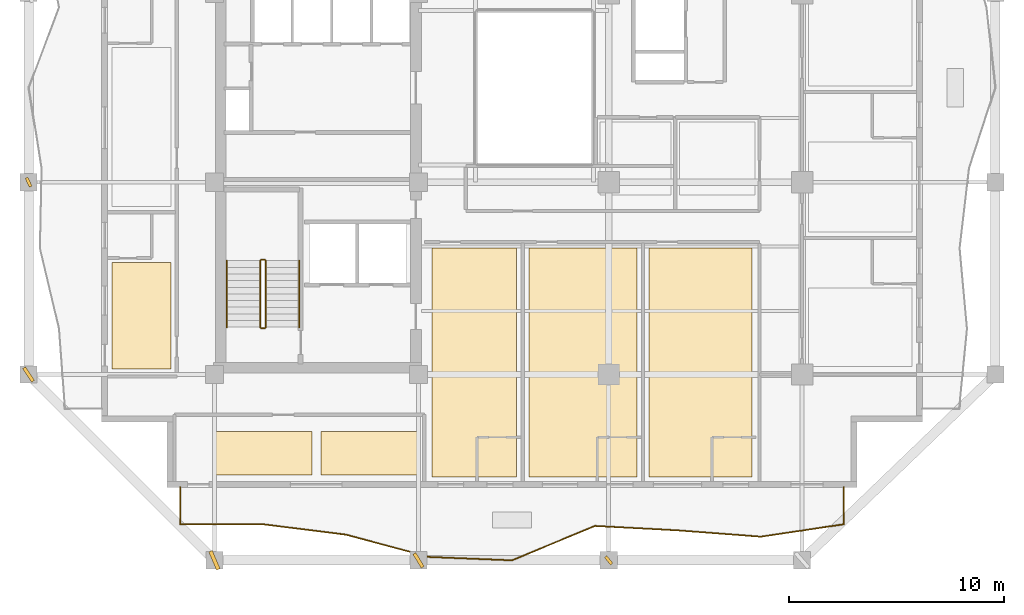
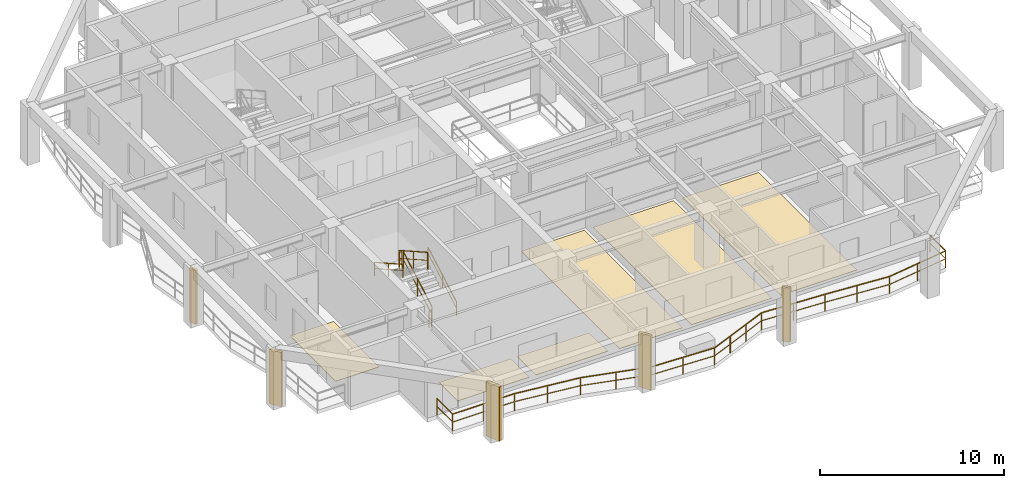
# One storey, part 8 of 11: 7 railings, 6 coverings, 5 shading devices.
"""IFC4 building model written with IfcOpenShell, lengths in metres."""

from ifc_helpers import new_model, si_unit, direction, frame, origin, origin_2d, place, context, subcontext, project, spatial, polyline, rectangle, outline, extrude, material, layer, layer_set, type_object, element, save


model = new_model("IFC4")

# Units and contexts
model_context = context("Model", 3, precision=1e-05, world=origin(), true_north=direction((0.0, 1.0)))
body_context = subcontext(model_context, "Body", "Model", "MODEL_VIEW")
ifc_project = project(units=[si_unit("LENGTHUNIT", "METRE"), si_unit("AREAUNIT", "SQUARE_METRE"), si_unit("VOLUMEUNIT", "CUBIC_METRE"), si_unit("PLANEANGLEUNIT", "RADIAN"), si_unit("MASSUNIT", "GRAM", prefix="KILO")], contexts=[model_context])

# Site, building, storey
site_placement = place(None, origin())
site = spatial("IfcSite", under=ifc_project, at=site_placement, CompositionType="ELEMENT")
building_placement = place(site_placement, origin())
building = spatial("IfcBuilding", under=site, at=building_placement, Name="Kundavana Baori Tower", CompositionType="ELEMENT")
storey_placement = place(building_placement, frame((0.0, 0.0, 127.10009765625)))
storey = spatial("IfcBuildingStorey", under=building, at=storey_placement, Name="L30", CompositionType="ELEMENT", Elevation=127.10009765625)

# Coverings
ifc_material_1 = material(Name="Honed Kota Stone and Terrazzo Flooring", Category="masonry")
ifc_layer = layer(ifc_material_1, 0.030029296875, Name="COV-INT-FLR")
ifc_layer_set = layer_set([ifc_layer], Name="Honed Kota Stone and Terrazzo Flooring")
covering_type = type_object("IfcCoveringType", Name="COV-INT-FLR", PredefinedType="FLOORING", material=ifc_layer_set)
covering_1_placement = place(storey_placement, origin())
element("IfcCovering", 1, at=covering_1_placement, inside=storey, type_object=covering_type, Name="L30 Room Finished Stone Flooring 1", PredefinedType="FLOORING", context=body_context, shape_type="SweptSolid", body=[
    extrude(outline(polyline([(10.679931640625, 15.5), (13.419921875, 15.5), (13.419921875, 20.469970703125), (10.679931640625, 20.469970703125), (10.679931640625, 15.5)])), origin(), (0.0, 0.0, 1.0), 0.02978515625),
])
covering_2_placement = place(storey_placement, origin())
element("IfcCovering", 2, at=covering_2_placement, inside=storey, type_object=covering_type, Name="L30 Room Finished Stone Flooring 4", PredefinedType="FLOORING", context=body_context, shape_type="SweptSolid", body=[
    extrude(outline(polyline([(25.580078125, 10.47998046875), (29.52001953125, 10.47998046875), (29.52001953125, 21.139892578125), (25.580078125, 21.139892578125), (25.580078125, 10.47998046875)])), origin(), (0.0, 0.0, 1.0), 0.02978515625),
])
covering_3_placement = place(storey_placement, origin())
element("IfcCovering", 3, at=covering_3_placement, inside=storey, type_object=covering_type, Name="L30 Room Finished Stone Flooring 5", PredefinedType="FLOORING", context=body_context, shape_type="SweptSolid", body=[
    extrude(outline(polyline([(30.080078125, 10.47998046875), (35.1201171875, 10.47998046875), (35.1201171875, 21.139892578125), (30.080078125, 21.139892578125), (30.080078125, 10.47998046875)])), origin(), (0.0, 0.0, 1.0), 0.02978515625),
])
covering_4_placement = place(storey_placement, origin())
element("IfcCovering", 4, at=covering_4_placement, inside=storey, type_object=covering_type, Name="L30 Room Finished Stone Flooring 6", PredefinedType="FLOORING", context=body_context, shape_type="SweptSolid", body=[
    extrude(outline(polyline([(35.679931640625, 10.47998046875), (40.4599609375, 10.47998046875), (40.4599609375, 21.139892578125), (35.679931640625, 21.139892578125), (35.679931640625, 10.47998046875)])), origin(), (0.0, 0.0, 1.0), 0.02978515625),
])
covering_5_placement = place(storey_placement, origin())
element("IfcCovering", 5, at=covering_5_placement, inside=storey, type_object=covering_type, Name="L30 Room Finished Stone Flooring 13", PredefinedType="FLOORING", context=body_context, shape_type="SweptSolid", body=[
    extrude(outline(polyline([(15.5, 10.580078125), (20.0, 10.580078125), (20.0, 12.60009765625), (15.5, 12.60009765625), (15.5, 10.580078125)])), origin(), (0.0, 0.0, 1.0), 0.02978515625),
])
covering_6_placement = place(storey_placement, origin())
element("IfcCovering", 6, at=covering_6_placement, inside=storey, type_object=covering_type, Name="L30 Room Finished Stone Flooring 14", PredefinedType="FLOORING", context=body_context, shape_type="SweptSolid", body=[
    extrude(outline(polyline([(20.39990234375, 10.580078125), (24.89990234375, 10.580078125), (24.89990234375, 12.60009765625), (20.39990234375, 12.60009765625), (20.39990234375, 10.580078125)])), origin(), (0.0, 0.0, 1.0), 0.02978515625),
])

# Railings
ifc_material_2 = material(Name="Architectural Patinated Bronze Metalwork")
railing_type_1 = type_object("IfcRailingType", Name="RL-BAL-1150", PredefinedType="BALUSTRADE", material=ifc_material_2)
railing_1_placement = place(storey_placement, frame((44.75, 10.0, 0.0)))
element("IfcRailing", 7, at=railing_1_placement, inside=storey, type_object=railing_type_1, Name="L30 Loggia Balcony Balustrade S", PredefinedType="BALUSTRADE", context=body_context, shape_type="SweptSolid", body=[
    extrude(rectangle(XDim=0.048095703125, YDim=0.048095703125, at=origin_2d()), frame((0.0, 0.0, 1.1259765625), z_axis=(0.0, -1.0, 0.0), x_axis=(1.0, 0.0, 0.0)), (0.0, 0.0, 1.0), 1.719970703125),
    extrude(rectangle(XDim=0.03125, YDim=0.03125, at=origin_2d()), frame((0.0, 0.0, 0.597900390625), z_axis=(0.0, -1.0, 0.0), x_axis=(1.0, 0.0, 0.0)), (0.0, 0.0, 1.0), 1.719970703125),
    extrude(rectangle(XDim=0.048095703125, YDim=0.048095703125, at=origin_2d()), frame((0.0, -1.719970703125, 1.1259765625), z_axis=(-0.98891296097, -0.148496315191, 0.0), x_axis=(0.148496315191, -0.98891296097, 0.0)), (0.0, 0.0, 1.0), 3.90625),
    extrude(rectangle(XDim=0.03125, YDim=0.03125, at=origin_2d()), frame((0.0, -1.719970703125, 0.597900390625), z_axis=(-0.98891296097, -0.148496315191, 0.0), x_axis=(0.148496315191, -0.98891296097, 0.0)), (0.0, 0.0, 1.0), 3.90625),
    extrude(rectangle(XDim=0.048095703125, YDim=0.048095703125, at=origin_2d()), frame((-3.863037109375, -2.300048828125, 1.1259765625), z_axis=(-0.997116081029, 0.075891507779, 0.0), x_axis=(-0.075891507779, -0.997116081029, 0.0)), (0.0, 0.0, 1.0), 3.873291015625),
    extrude(rectangle(XDim=0.03125, YDim=0.03125, at=origin_2d()), frame((-3.863037109375, -2.300048828125, 0.597900390625), z_axis=(-0.997116081029, 0.075891507779, 0.0), x_axis=(-0.075891507779, -0.997116081029, 0.0)), (0.0, 0.0, 1.0), 3.873291015625),
    extrude(rectangle(XDim=0.048095703125, YDim=0.048095703125, at=origin_2d()), frame((-7.72509765625, -2.006103515625, 1.1259765625), z_axis=(-0.998566084129, 0.053532939647, 0.0), x_axis=(-0.053532939647, -0.998566084129, 0.0)), (0.0, 0.0, 1.0), 3.867431640625),
    extrude(rectangle(XDim=0.03125, YDim=0.03125, at=origin_2d()), frame((-7.72509765625, -2.006103515625, 0.597900390625), z_axis=(-0.998566084129, 0.053532939647, 0.0), x_axis=(-0.053532939647, -0.998566084129, 0.0)), (0.0, 0.0, 1.0), 3.867431640625),
    extrude(rectangle(XDim=0.048095703125, YDim=0.048095703125, at=origin_2d()), frame((-11.5869140625, -1.799072265625, 1.1259765625), z_axis=(-0.923819683912, -0.382827887721, 0.0), x_axis=(0.382827887721, -0.923819683912, 0.0)), (0.0, 0.0, 1.0), 4.181640625),
    extrude(rectangle(XDim=0.03125, YDim=0.03125, at=origin_2d()), frame((-11.5869140625, -1.799072265625, 0.597900390625), z_axis=(-0.923819683912, -0.382827887721, 0.0), x_axis=(0.382827887721, -0.923819683912, 0.0)), (0.0, 0.0, 1.0), 4.181640625),
    extrude(rectangle(XDim=0.048095703125, YDim=0.048095703125, at=origin_2d()), frame((-15.449951171875, -3.39990234375, 1.1259765625), z_axis=(-0.999174919833, 0.04061378554, 0.0), x_axis=(-0.04061378554, -0.999174919833, 0.0)), (0.0, 0.0, 1.0), 3.865234375),
    extrude(rectangle(XDim=0.03125, YDim=0.03125, at=origin_2d()), frame((-15.449951171875, -3.39990234375, 0.597900390625), z_axis=(-0.999174919833, 0.04061378554, 0.0), x_axis=(-0.04061378554, -0.999174919833, 0.0)), (0.0, 0.0, 1.0), 3.865234375),
    extrude(rectangle(XDim=0.048095703125, YDim=0.048095703125, at=origin_2d()), frame((-19.31201171875, -3.242919921875, 1.1259765625), z_axis=(-0.965815259349, 0.259231334542, 0.0), x_axis=(-0.259231334542, -0.965815259349, 0.0)), (0.0, 0.0, 1.0), 3.999755859375),
    extrude(rectangle(XDim=0.03125, YDim=0.03125, at=origin_2d()), frame((-19.31201171875, -3.242919921875, 0.597900390625), z_axis=(-0.965815259349, 0.259231334542, 0.0), x_axis=(-0.259231334542, -0.965815259349, 0.0)), (0.0, 0.0, 1.0), 3.999755859375),
    extrude(rectangle(XDim=0.048095703125, YDim=0.048095703125, at=origin_2d()), frame((-23.175048828125, -2.2060546875, 1.1259765625), z_axis=(-0.992207292382, 0.124598109711, 0.0), x_axis=(-0.124598109711, -0.992207292382, 0.0)), (0.0, 0.0, 1.0), 3.893310546875),
    extrude(rectangle(XDim=0.03125, YDim=0.03125, at=origin_2d()), frame((-23.175048828125, -2.2060546875, 0.597900390625), z_axis=(-0.992207292382, 0.124598109711, 0.0), x_axis=(-0.124598109711, -0.992207292382, 0.0)), (0.0, 0.0, 1.0), 3.893310546875),
    extrude(rectangle(XDim=0.048095703125, YDim=0.048095703125, at=origin_2d()), frame((-27.0380859375, -1.720947265625, 1.1259765625), z_axis=(-0.999999968027, 0.000252876462, 0.0), x_axis=(-0.000252876462, -0.999999968027, 0.0)), (0.0, 0.0, 1.0), 3.86181640625),
    extrude(rectangle(XDim=0.03125, YDim=0.03125, at=origin_2d()), frame((-27.0380859375, -1.720947265625, 0.597900390625), z_axis=(-0.999999968027, 0.000252876462, 0.0), x_axis=(-0.000252876462, -0.999999968027, 0.0)), (0.0, 0.0, 1.0), 3.86181640625),
    extrude(rectangle(XDim=0.048095703125, YDim=0.048095703125, at=origin_2d()), frame((-30.89990234375, -1.719970703125, 1.1259765625), z_axis=(0.0, 1.0, 0.0), x_axis=(-1.0, 0.0, 0.0)), (0.0, 0.0, 1.0), 1.719970703125),
    extrude(rectangle(XDim=0.03125, YDim=0.03125, at=origin_2d()), frame((-30.89990234375, -1.719970703125, 0.597900390625), z_axis=(0.0, 1.0, 0.0), x_axis=(-1.0, 0.0, 0.0)), (0.0, 0.0, 1.0), 1.719970703125),
    extrude(rectangle(XDim=0.0419921875, YDim=0.0419921875, at=origin_2d()), origin(), (0.0, 0.0, 1.0), 1.101806640625),
    extrude(rectangle(XDim=0.0419921875, YDim=0.0419921875, at=origin_2d()), frame((0.0, -1.719970703125, 0.0)), (0.0, 0.0, 1.0), 1.101806640625),
    extrude(rectangle(XDim=0.0419921875, YDim=0.0419921875, at=origin_2d()), frame((-1.931640625, -2.010009765625, 0.0)), (0.0, 0.0, 1.0), 1.101806640625),
    extrude(rectangle(XDim=0.0419921875, YDim=0.0419921875, at=origin_2d()), frame((-3.863037109375, -2.300048828125, 0.0)), (0.0, 0.0, 1.0), 1.101806640625),
    extrude(rectangle(XDim=0.0419921875, YDim=0.0419921875, at=origin_2d()), frame((-5.7939453125, -2.153076171875, 0.0)), (0.0, 0.0, 1.0), 1.101806640625),
    extrude(rectangle(XDim=0.0419921875, YDim=0.0419921875, at=origin_2d()), frame((-7.72509765625, -2.006103515625, 0.0)), (0.0, 0.0, 1.0), 1.101806640625),
    extrude(rectangle(XDim=0.0419921875, YDim=0.0419921875, at=origin_2d()), frame((-9.656005859375, -1.902587890625, 0.0)), (0.0, 0.0, 1.0), 1.101806640625),
    extrude(rectangle(XDim=0.0419921875, YDim=0.0419921875, at=origin_2d()), frame((-11.5869140625, -1.799072265625, 0.0)), (0.0, 0.0, 1.0), 1.101806640625),
    extrude(rectangle(XDim=0.0419921875, YDim=0.0419921875, at=origin_2d()), frame((-12.87451171875, -2.332763671875, 0.0)), (0.0, 0.0, 1.0), 1.101806640625),
    extrude(rectangle(XDim=0.0419921875, YDim=0.0419921875, at=origin_2d()), frame((-14.162353515625, -2.8662109375, 0.0)), (0.0, 0.0, 1.0), 1.101806640625),
    extrude(rectangle(XDim=0.0419921875, YDim=0.0419921875, at=origin_2d()), frame((-15.449951171875, -3.39990234375, 0.0)), (0.0, 0.0, 1.0), 1.101806640625),
    extrude(rectangle(XDim=0.0419921875, YDim=0.0419921875, at=origin_2d()), frame((-17.380859375, -3.3212890625, 0.0)), (0.0, 0.0, 1.0), 1.101806640625),
    extrude(rectangle(XDim=0.0419921875, YDim=0.0419921875, at=origin_2d()), frame((-19.31201171875, -3.242919921875, 0.0)), (0.0, 0.0, 1.0), 1.101806640625),
    extrude(rectangle(XDim=0.0419921875, YDim=0.0419921875, at=origin_2d()), frame((-21.24365234375, -2.724609375, 0.0)), (0.0, 0.0, 1.0), 1.101806640625),
    extrude(rectangle(XDim=0.0419921875, YDim=0.0419921875, at=origin_2d()), frame((-23.175048828125, -2.2060546875, 0.0)), (0.0, 0.0, 1.0), 1.101806640625),
    extrude(rectangle(XDim=0.0419921875, YDim=0.0419921875, at=origin_2d()), frame((-25.1064453125, -1.96337890625, 0.0)), (0.0, 0.0, 1.0), 1.101806640625),
    extrude(rectangle(XDim=0.0419921875, YDim=0.0419921875, at=origin_2d()), frame((-27.0380859375, -1.720947265625, 0.0)), (0.0, 0.0, 1.0), 1.101806640625),
    extrude(rectangle(XDim=0.0419921875, YDim=0.0419921875, at=origin_2d()), frame((-28.968994140625, -1.720458984375, 0.0)), (0.0, 0.0, 1.0), 1.101806640625),
    extrude(rectangle(XDim=0.0419921875, YDim=0.0419921875, at=origin_2d()), frame((-30.89990234375, -1.719970703125, 0.0)), (0.0, 0.0, 1.0), 1.101806640625),
    extrude(rectangle(XDim=0.0419921875, YDim=0.0419921875, at=origin_2d()), frame((-30.89990234375, 0.0, 0.0)), (0.0, 0.0, 1.0), 1.101806640625),
])
ifc_material_3 = material(Name="Architectural Patinated Bronze Metalwork")
railing_type_2 = type_object("IfcRailingType", Name="RL-GRD-1150", PredefinedType="GUARDRAIL", material=ifc_material_3)
railing_2_placement = place(storey_placement, frame((17.840087890625, 17.449951171875, 0.1748046875)))
element("IfcRailing", 8, at=railing_2_placement, inside=storey, type_object=railing_type_2, Name="L30 ST1 stair guard 1", PredefinedType="GUARDRAIL", context=body_context, shape_type="SweptSolid", body=[
    extrude(rectangle(XDim=0.048095703125, YDim=0.048095703125, at=origin_2d()), frame((0.0, 0.0, 1.1259765625), z_axis=(0.0, 0.870830938388, 0.491582624537), x_axis=(-1.0, 0.0, 0.0)), (0.0, 0.0, 1.0), 3.559814453125),
    extrude(rectangle(XDim=0.03125, YDim=0.03125, at=origin_2d()), frame((0.0, 0.0, 0.597900390625), z_axis=(0.0, 0.870830938388, 0.491582624537), x_axis=(-1.0, 0.0, 0.0)), (0.0, 0.0, 1.0), 3.559814453125),
    extrude(rectangle(XDim=0.0419921875, YDim=0.0419921875, at=origin_2d()), origin(), (0.0, 0.0, 1.0), 1.101806640625),
    extrude(rectangle(XDim=0.0419921875, YDim=0.0419921875, at=origin_2d()), frame((0.0, 1.550048828125, 0.875)), (0.0, 0.0, 1.0), 1.101806640625),
    extrude(rectangle(XDim=0.0419921875, YDim=0.0419921875, at=origin_2d()), frame((0.0, 3.10009765625, 1.75)), (0.0, 0.0, 1.0), 1.101806640625),
])
railing_3_placement = place(storey_placement, frame((17.7900390625, 20.60009765625, 1.9248046875)))
element("IfcRailing", 9, at=railing_3_placement, inside=storey, type_object=railing_type_2, Name="L30 ST1 stair guard 2", PredefinedType="GUARDRAIL", context=body_context, shape_type="SweptSolid", body=[
    extrude(rectangle(XDim=0.048095703125, YDim=0.048095703125, at=origin_2d()), frame((0.0, 0.0, 1.1259765625), z_axis=(-1.0, 0.0, 0.0), x_axis=(0.0, -1.0, 0.0)), (0.0, 0.0, 1.0), 0.16015625),
    extrude(rectangle(XDim=0.03125, YDim=0.03125, at=origin_2d()), frame((0.0, 0.0, 0.597900390625), z_axis=(-1.0, 0.0, 0.0), x_axis=(0.0, -1.0, 0.0)), (0.0, 0.0, 1.0), 0.16015625),
    extrude(rectangle(XDim=0.0419921875, YDim=0.0419921875, at=origin_2d()), origin(), (0.0, 0.0, 1.0), 1.101806640625),
    extrude(rectangle(XDim=0.0419921875, YDim=0.0419921875, at=origin_2d()), frame((-0.16015625, 0.0, 0.0)), (0.0, 0.0, 1.0), 1.101806640625),
])
railing_4_placement = place(storey_placement, frame((17.580078125, 20.550048828125, 2.099853515625)))
element("IfcRailing", 10, at=railing_4_placement, inside=storey, type_object=railing_type_2, Name="L30 ST1 stair guard 3", PredefinedType="GUARDRAIL", context=body_context, shape_type="SweptSolid", body=[
    extrude(rectangle(XDim=0.048095703125, YDim=0.048095703125, at=origin_2d()), frame((0.0, 0.0, 1.1259765625), z_axis=(0.0, -0.870830938388, 0.491582624537), x_axis=(1.0, 0.0, 0.0)), (0.0, 0.0, 1.0), 3.559814453125),
    extrude(rectangle(XDim=0.03125, YDim=0.03125, at=origin_2d()), frame((0.0, 0.0, 0.597900390625), z_axis=(0.0, -0.870830938388, 0.491582624537), x_axis=(1.0, 0.0, 0.0)), (0.0, 0.0, 1.0), 3.559814453125),
    extrude(rectangle(XDim=0.0419921875, YDim=0.0419921875, at=origin_2d()), origin(), (0.0, 0.0, 1.0), 1.101806640625),
    extrude(rectangle(XDim=0.0419921875, YDim=0.0419921875, at=origin_2d()), frame((0.0, -1.550048828125, 0.875)), (0.0, 0.0, 1.0), 1.101806640625),
    extrude(rectangle(XDim=0.0419921875, YDim=0.0419921875, at=origin_2d()), frame((0.0, -3.10009765625, 1.75)), (0.0, 0.0, 1.0), 1.101806640625),
])
railing_5_placement = place(storey_placement, frame((17.7900390625, 17.39990234375, 0.0)))
element("IfcRailing", 11, at=railing_5_placement, inside=storey, type_object=railing_type_2, Name="L30 ST1 stair guard 4", PredefinedType="GUARDRAIL", context=body_context, shape_type="SweptSolid", body=[
    extrude(rectangle(XDim=0.048095703125, YDim=0.048095703125, at=origin_2d()), frame((0.0, 0.0, 1.1259765625), z_axis=(-1.0, 0.0, 0.0), x_axis=(0.0, -1.0, 0.0)), (0.0, 0.0, 1.0), 0.16015625),
    extrude(rectangle(XDim=0.03125, YDim=0.03125, at=origin_2d()), frame((0.0, 0.0, 0.597900390625), z_axis=(-1.0, 0.0, 0.0), x_axis=(0.0, -1.0, 0.0)), (0.0, 0.0, 1.0), 0.16015625),
    extrude(rectangle(XDim=0.0419921875, YDim=0.0419921875, at=origin_2d()), origin(), (0.0, 0.0, 1.0), 1.101806640625),
    extrude(rectangle(XDim=0.0419921875, YDim=0.0419921875, at=origin_2d()), frame((-0.16015625, 0.0, 0.0)), (0.0, 0.0, 1.0), 1.101806640625),
])
ifc_material_4 = material(Name="Architectural Patinated Bronze Metalwork")
railing_type_3 = type_object("IfcRailingType", Name="RL-HND-920", PredefinedType="HANDRAIL", material=ifc_material_4)
railing_6_placement = place(storey_placement, frame((19.389892578125, 17.449951171875, 0.1748046875)))
element("IfcRailing", 12, at=railing_6_placement, inside=storey, type_object=railing_type_3, Name="L30 ST1 stair handrail 1", PredefinedType="HANDRAIL", context=body_context, shape_type="SweptSolid", body=[
    extrude(rectangle(XDim=0.048095703125, YDim=0.048095703125, at=origin_2d()), frame((0.0, 0.0, 0.8759765625), z_axis=(0.0, 0.870830938388, 0.491582624537), x_axis=(-1.0, 0.0, 0.0)), (0.0, 0.0, 1.0), 3.559814453125),
    extrude(rectangle(XDim=0.03125, YDim=0.03125, at=origin_2d()), frame((0.0, 0.0, 0.468017578125), z_axis=(0.0, 0.870830938388, 0.491582624537), x_axis=(-1.0, 0.0, 0.0)), (0.0, 0.0, 1.0), 3.559814453125),
    extrude(rectangle(XDim=0.0419921875, YDim=0.0419921875, at=origin_2d()), origin(), (0.0, 0.0, 1.0), 0.851806640625),
    extrude(rectangle(XDim=0.0419921875, YDim=0.0419921875, at=origin_2d()), frame((0.0, 1.550048828125, 0.875)), (0.0, 0.0, 1.0), 0.851806640625),
    extrude(rectangle(XDim=0.0419921875, YDim=0.0419921875, at=origin_2d()), frame((0.0, 3.10009765625, 1.75)), (0.0, 0.0, 1.0), 0.851806640625),
])
railing_7_placement = place(storey_placement, frame((16.030029296875, 20.550048828125, 2.099853515625)))
element("IfcRailing", 13, at=railing_7_placement, inside=storey, type_object=railing_type_3, Name="L30 ST1 stair handrail 2", PredefinedType="HANDRAIL", context=body_context, shape_type="SweptSolid", body=[
    extrude(rectangle(XDim=0.048095703125, YDim=0.048095703125, at=origin_2d()), frame((0.0, 0.0, 0.8759765625), z_axis=(0.0, -0.870830938388, 0.491582624537), x_axis=(1.0, 0.0, 0.0)), (0.0, 0.0, 1.0), 3.559814453125),
    extrude(rectangle(XDim=0.03125, YDim=0.03125, at=origin_2d()), frame((0.0, 0.0, 0.468017578125), z_axis=(0.0, -0.870830938388, 0.491582624537), x_axis=(1.0, 0.0, 0.0)), (0.0, 0.0, 1.0), 3.559814453125),
    extrude(rectangle(XDim=0.0419921875, YDim=0.0419921875, at=origin_2d()), origin(), (0.0, 0.0, 1.0), 0.851806640625),
    extrude(rectangle(XDim=0.0419921875, YDim=0.0419921875, at=origin_2d()), frame((0.0, -1.550048828125, 0.875)), (0.0, 0.0, 1.0), 0.851806640625),
    extrude(rectangle(XDim=0.0419921875, YDim=0.0419921875, at=origin_2d()), frame((0.0, -3.10009765625, 1.75)), (0.0, 0.0, 1.0), 0.851806640625),
])

# Shading devices
ifc_material_5 = material(Name="Red-Buff Dholpur Sandstone Cladding on Concrete C40/50", Category="masonry")
shading_device_type_1 = type_object("IfcShadingDeviceType", Name="SHD-FIN-750", PredefinedType="JALOUSIE", material=ifc_material_5)
for number, where, z_axis, x_axis, name in (
    (14, (24.949951171875, 6.60009765625, -0.000244140625), (0.0, 0.0, 1.0), (0.854095929175, 0.520115510024, 0.0), "L30 Sweeping Dholpur Sandstone Facade Fin 2"),
    (15, (6.800048828125, 15.25, -0.000244140625), (0.0, 0.0, 1.0), (0.828451532652, 0.560060762816, 0.0), "L30 Sweeping Dholpur Sandstone Facade Fin 5"),
):
    element("IfcShadingDevice", number, at=place(storey_placement, frame(where, z_axis=z_axis, x_axis=x_axis)), inside=storey, type_object=shading_device_type_1, Name=name, PredefinedType="JALOUSIE", context=body_context, shape_type="SweptSolid", body=[
        extrude(rectangle(XDim=0.159912109375, YDim=0.75, at=origin_2d()), origin(), (0.0, 0.0, 1.0), 3.60009765625),
    ])
ifc_material_6 = material(Name="Red-Buff Dholpur Sandstone Cladding on Concrete C40/50", Category="masonry")
shading_device_type_2 = type_object("IfcShadingDeviceType", Name="SHD-FIN-920", PredefinedType="JALOUSIE", material=ifc_material_6)
shading_device_placement = place(storey_placement, frame((15.449951171875, 6.60009765625, -0.000244140625), z_axis=(0.0, 0.0, 1.0), x_axis=(0.918791210149, 0.394743856384, 0.0)))
element("IfcShadingDevice", 16, at=shading_device_placement, inside=storey, type_object=shading_device_type_2, Name="L30 Sweeping Dholpur Sandstone Facade Fin 1", PredefinedType="JALOUSIE", context=body_context, shape_type="SweptSolid", body=[
    extrude(rectangle(XDim=0.179931640625, YDim=0.919921875, at=origin_2d()), origin(), (0.0, 0.0, 1.0), 3.60009765625),
])
ifc_material_7 = material(Name="Architectural Patinated Bronze Metalwork")
shading_device_type_3 = type_object("IfcShadingDeviceType", Name="SHD-LOUV-450", PredefinedType="SHUTTER", material=ifc_material_7)
for number, where, z_axis, x_axis, name in (
    (17, (33.800048828125, 6.60009765625, -0.000244140625), (0.0, 0.0, 1.0), (0.765595506068, 0.64332225291, 0.0), "L30 Sweeping Dholpur Sandstone Facade Fin 3"),
    (18, (6.800048828125, 24.199951171875, -0.000244140625), (0.0, 0.0, 1.0), (0.907190928252, 0.420719169633, 0.0), "L30 Sweeping Dholpur Sandstone Facade Fin 6"),
):
    element("IfcShadingDevice", number, at=place(storey_placement, frame(where, z_axis=z_axis, x_axis=x_axis)), inside=storey, type_object=shading_device_type_3, Name=name, PredefinedType="SHUTTER", context=body_context, shape_type="SweptSolid", body=[
        extrude(rectangle(XDim=0.139892578125, YDim=0.449951171875, at=origin_2d()), origin(), (0.0, 0.0, 1.0), 3.60009765625),
    ])

save(model, "model.ifc")
